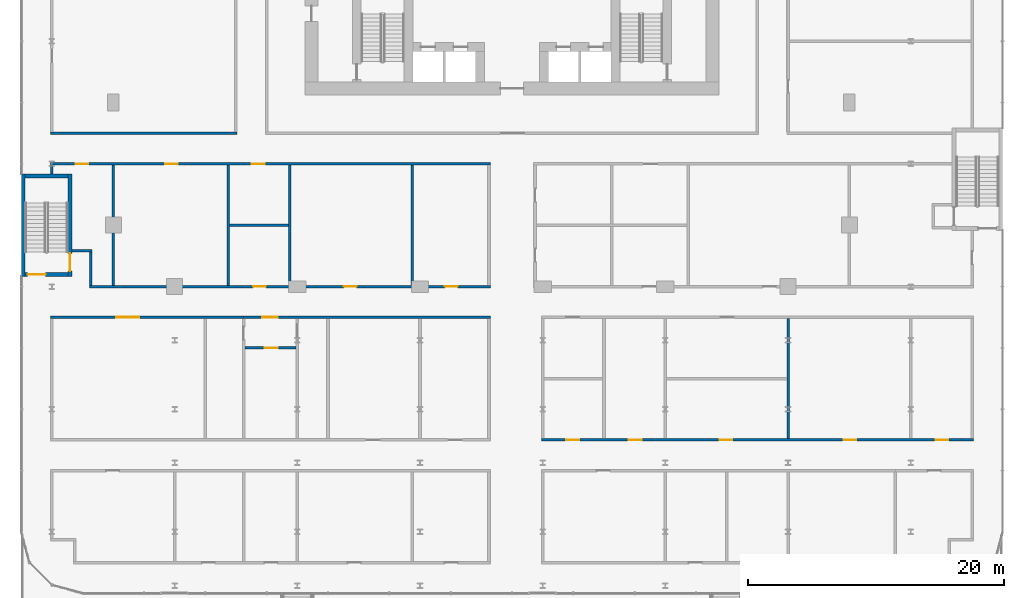
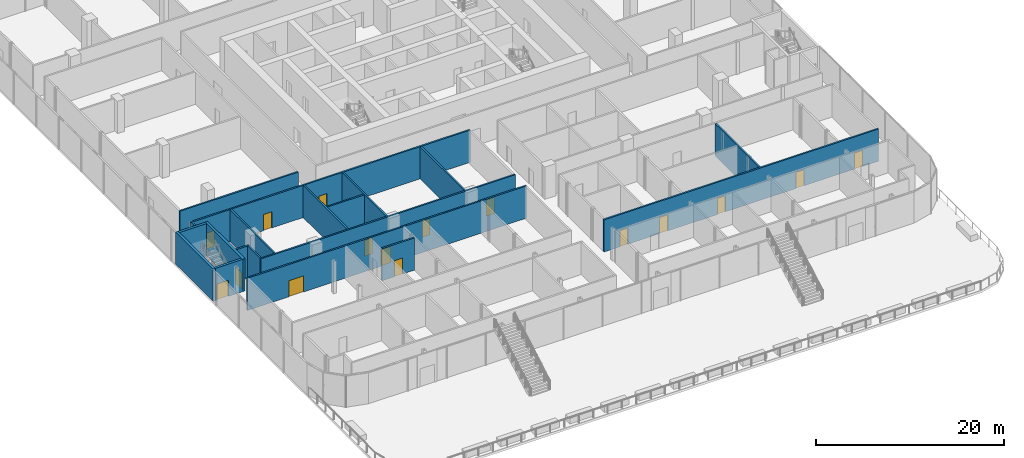
# One storey, part 30 of 43: 20 walls, 16 doors, 16 openings.
"""IFC4 building model written with IfcOpenShell, lengths in metres."""

from ifc_helpers import new_model, si_unit, direction, frame, frame_2d, origin, place, context, subcontext, project, spatial, rectangle, extrude, material, layer, layer_set, type_object, element, fill, save


model = new_model("IFC4")

# Units and contexts
model_context = context("Model", 3, precision=1e-05, world=origin(), true_north=direction((0.0, 1.0)))
body_context = subcontext(model_context, "Body", "Model", "MODEL_VIEW")
ifc_project = project(units=[si_unit("LENGTHUNIT", "METRE"), si_unit("AREAUNIT", "SQUARE_METRE"), si_unit("VOLUMEUNIT", "CUBIC_METRE"), si_unit("PLANEANGLEUNIT", "RADIAN"), si_unit("MASSUNIT", "GRAM", prefix="KILO")], contexts=[model_context])

# Site, building, storey
site_placement = place(None, origin())
site = spatial("IfcSite", under=ifc_project, at=site_placement, CompositionType="ELEMENT")
building_placement = place(site_placement, origin())
building = spatial("IfcBuilding", under=site, at=building_placement, Name="Madar Terraces", CompositionType="ELEMENT")
storey_placement = place(building_placement, frame((0.0, 0.0, 10.5)))
storey = spatial("IfcBuildingStorey", under=building, at=storey_placement, Name="L02", CompositionType="ELEMENT", Elevation=10.5)

# Wall, openings, doors
ifc_material_1 = material(Name="Gypsum board partition, fire-rated")
ifc_layer_1 = layer(ifc_material_1, 0.199951171875)
ifc_layer_set_1 = layer_set([ifc_layer_1], Name="Partition 200 EI 60")
wall_type_1 = type_object("IfcWallType", Name="Partition 200 EI 60", PredefinedType="PARTITIONING", material=ifc_layer_set_1)
wall_1_placement = place(storey_placement, frame((33.5, -12.0, 0.0), z_axis=(0.0, 0.0, 1.0), x_axis=(1.0, 0.0, 0.0)))
wall_1 = element("IfcWall", 1, at=wall_1_placement, inside=storey, type_object=wall_type_1, Name="Wall CONSULTING ROOM + DIRTY UTILITY", PredefinedType="PARTITIONING", context=body_context, shape_type="SweptSolid", body=[
    extrude(rectangle(XDim=33.800048828125, YDim=0.199951171875, at=frame_2d((16.89990234375, 0.0))), origin(), (0.0, 0.0, 1.0), 4.199951171875),
])
opening_1_placement = place(wall_1_placement, frame((1.949951171875, 0.0, 0.0)))
opening_1 = element("IfcOpeningElement", 2, at=opening_1_placement, cuts=wall_1, Name="Opening D31", PredefinedType="OPENING", context=body_context, shape_type="SweptSolid", body=[
    extrude(rectangle(XDim=1.0, YDim=2.10009765625, at=frame_2d((0.5, 1.050048828125))), frame((0.0, 0.10986328125, 0.0), z_axis=(0.0, -1.0, 0.0), x_axis=(1.0, 0.0, 0.0)), (0.0, 0.0, 1.0), 0.219970703125),
])
opening_2_placement = place(wall_1_placement, frame((6.85009765625, 0.0, 0.0)))
opening_2 = element("IfcOpeningElement", 3, at=opening_2_placement, cuts=wall_1, Name="Opening D31", PredefinedType="OPENING", context=body_context, shape_type="SweptSolid", body=[
    extrude(rectangle(XDim=1.0, YDim=2.10009765625, at=frame_2d((0.5, 1.050048828125))), frame((0.0, 0.10986328125, 0.0), z_axis=(0.0, -1.0, 0.0), x_axis=(1.0, 0.0, 0.0)), (0.0, 0.0, 1.0), 0.219970703125),
])
opening_3_placement = place(wall_1_placement, frame((13.949951171875, 0.0, 0.0)))
opening_3 = element("IfcOpeningElement", 4, at=opening_3_placement, cuts=wall_1, Name="Opening D31", PredefinedType="OPENING", context=body_context, shape_type="SweptSolid", body=[
    extrude(rectangle(XDim=1.0, YDim=2.10009765625, at=frame_2d((0.5, 1.050048828125))), frame((0.0, 0.10986328125, 0.0), z_axis=(0.0, -1.0, 0.0), x_axis=(1.0, 0.0, 0.0)), (0.0, 0.0, 1.0), 0.219970703125),
])
opening_4_placement = place(wall_1_placement, frame((23.64990234375, 0.0, 0.0)))
opening_4 = element("IfcOpeningElement", 5, at=opening_4_placement, cuts=wall_1, Name="Opening D31", PredefinedType="OPENING", context=body_context, shape_type="SweptSolid", body=[
    extrude(rectangle(XDim=1.0, YDim=2.10009765625, at=frame_2d((0.5, 1.050048828125))), frame((0.0, 0.10986328125, 0.0), z_axis=(0.0, -1.0, 0.0), x_axis=(1.0, 0.0, 0.0)), (0.0, 0.0, 1.0), 0.219970703125),
])
opening_5_placement = place(wall_1_placement, frame((30.85009765625, 0.0, 0.0)))
opening_5 = element("IfcOpeningElement", 6, at=opening_5_placement, cuts=wall_1, Name="Opening D31", PredefinedType="OPENING", context=body_context, shape_type="SweptSolid", body=[
    extrude(rectangle(XDim=1.0, YDim=2.10009765625, at=frame_2d((0.5, 1.050048828125))), frame((0.0, 0.10986328125, 0.0), z_axis=(0.0, -1.0, 0.0), x_axis=(1.0, 0.0, 0.0)), (0.0, 0.0, 1.0), 0.219970703125),
])
ifc_material_2 = material(Name="Timber door leaf, fire-rated", Category="wood")
door_type_1 = type_object("IfcDoorType", Name="Podium door 1000 x 2100 FD30S", OperationType="NOTDEFINED", PredefinedType="DOOR", material=ifc_material_2)
door_1_placement = place(opening_1_placement, origin())
door_1 = element("IfcDoor", 7, at=door_1_placement, inside=storey, type_object=door_type_1, Name="Door DIRTY UTILITY / PODIUM CORRIDOR", OperationType="SINGLE_SWING_RIGHT", OverallHeight=2.10009765625, OverallWidth=1.0, PredefinedType="DOOR", context=body_context, shape_type="SweptSolid", body=[
    extrude(rectangle(XDim=1.0, YDim=2.10009765625, at=frame_2d((0.5, 1.050048828125))), frame((0.0, 0.02490234375, 0.0), z_axis=(0.0, -1.0, 0.0), x_axis=(1.0, 0.0, 0.0)), (0.0, 0.0, 1.0), 0.050048828125),
])
fill(opening_1, door_1)
door_2_placement = place(opening_2_placement, origin())
door_2 = element("IfcDoor", 8, at=door_2_placement, inside=storey, type_object=door_type_1, Name="Door NURSES STATION / PODIUM CORRIDOR", OperationType="SINGLE_SWING_RIGHT", OverallHeight=2.10009765625, OverallWidth=1.0, PredefinedType="DOOR", context=body_context, shape_type="SweptSolid", body=[
    extrude(rectangle(XDim=1.0, YDim=2.10009765625, at=frame_2d((0.5, 1.050048828125))), frame((0.0, 0.02490234375, 0.0), z_axis=(0.0, -1.0, 0.0), x_axis=(1.0, 0.0, 0.0)), (0.0, 0.0, 1.0), 0.050048828125),
])
fill(opening_2, door_2)
door_3_placement = place(opening_3_placement, origin())
door_3 = element("IfcDoor", 9, at=door_3_placement, inside=storey, type_object=door_type_1, Name="Door CONSULTING ROOM / PODIUM CORRIDOR", OperationType="SINGLE_SWING_LEFT", OverallHeight=2.10009765625, OverallWidth=1.0, PredefinedType="DOOR", context=body_context, shape_type="SweptSolid", body=[
    extrude(rectangle(XDim=1.0, YDim=2.10009765625, at=frame_2d((0.5, 1.050048828125))), frame((0.0, 0.02490234375, 0.0), z_axis=(0.0, -1.0, 0.0), x_axis=(1.0, 0.0, 0.0)), (0.0, 0.0, 1.0), 0.050048828125),
])
fill(opening_3, door_3)
door_4_placement = place(opening_4_placement, origin())
door_4 = element("IfcDoor", 10, at=door_4_placement, inside=storey, type_object=door_type_1, Name="Door TREATMENT ROOM / PODIUM CORRIDOR", OperationType="SINGLE_SWING_RIGHT", OverallHeight=2.10009765625, OverallWidth=1.0, PredefinedType="DOOR", context=body_context, shape_type="SweptSolid", body=[
    extrude(rectangle(XDim=1.0, YDim=2.10009765625, at=frame_2d((0.5, 1.050048828125))), frame((0.0, 0.02490234375, 0.0), z_axis=(0.0, -1.0, 0.0), x_axis=(1.0, 0.0, 0.0)), (0.0, 0.0, 1.0), 0.050048828125),
])
fill(opening_4, door_4)
door_5_placement = place(opening_5_placement, origin())
door_5 = element("IfcDoor", 11, at=door_5_placement, inside=storey, type_object=door_type_1, Name="Door STAFF ROOM / PODIUM CORRIDOR", OperationType="SINGLE_SWING_LEFT", OverallHeight=2.10009765625, OverallWidth=1.0, PredefinedType="DOOR", context=body_context, shape_type="SweptSolid", body=[
    extrude(rectangle(XDim=1.0, YDim=2.10009765625, at=frame_2d((0.5, 1.050048828125))), frame((0.0, 0.02490234375, 0.0), z_axis=(0.0, -1.0, 0.0), x_axis=(1.0, 0.0, 0.0)), (0.0, 0.0, 1.0), 0.050048828125),
])
fill(opening_5, door_5)

# Wall, opening, door
wall_2_placement = place(storey_placement, frame((14.300048828125, -4.800048828125, 0.0), z_axis=(0.0, 0.0, 1.0), x_axis=(-1.0, 0.0, 0.0)))
wall_2 = element("IfcWall", 12, at=wall_2_placement, inside=storey, type_object=wall_type_1, Name="Wall WC LOBBY / ACCESSIBLE WC", PredefinedType="PARTITIONING", context=body_context, shape_type="SweptSolid", body=[
    extrude(rectangle(XDim=4.0, YDim=0.199951171875, at=frame_2d((2.0, 0.0))), origin(), (0.0, 0.0, 1.0), 4.199951171875),
])
opening_6_placement = place(wall_2_placement, frame((1.449951171875, 0.0, 0.0)))
opening_6 = element("IfcOpeningElement", 13, at=opening_6_placement, cuts=wall_2, Name="Opening D31", PredefinedType="OPENING", context=body_context, shape_type="SweptSolid", body=[
    extrude(rectangle(XDim=1.0, YDim=2.10009765625, at=frame_2d((0.5, 1.050048828125))), frame((0.0, 0.10986328125, 0.0), z_axis=(0.0, -1.0, 0.0), x_axis=(1.0, 0.0, 0.0)), (0.0, 0.0, 1.0), 0.219970703125),
])
door_6_placement = place(opening_6_placement, origin())
door_6 = element("IfcDoor", 14, at=door_6_placement, inside=storey, type_object=door_type_1, Name="Door WC LOBBY / ACCESSIBLE WC", OperationType="SINGLE_SWING_LEFT", OverallHeight=2.10009765625, OverallWidth=1.0, PredefinedType="DOOR", context=body_context, shape_type="SweptSolid", body=[
    extrude(rectangle(XDim=1.0, YDim=2.10009765625, at=frame_2d((0.5, 1.050048828125))), frame((0.0, 0.02490234375, 0.0), z_axis=(0.0, -1.0, 0.0), x_axis=(1.0, 0.0, 0.0)), (0.0, 0.0, 1.0), 0.050048828125),
])
fill(opening_6, door_6)

wall_3_placement = place(storey_placement, frame((10.199951171875, -2.39990234375, 0.0), z_axis=(0.0, 0.0, 1.0), x_axis=(-1.0, 0.0, 0.0)))
wall_3 = element("IfcWall", 15, at=wall_3_placement, inside=storey, type_object=wall_type_1, Name="Wall WAITING AREA + WC MEN", PredefinedType="PARTITIONING", context=body_context, shape_type="SweptSolid", body=[
    extrude(rectangle(XDim=15.099853515625, YDim=0.199951171875, at=frame_2d((7.5498046875, 0.0))), origin(), (0.0, 0.0, 1.0), 4.199951171875),
])
opening_7_placement = place(wall_3_placement, frame((8.14990234375, 0.0, 0.0)))
opening_7 = element("IfcOpeningElement", 16, at=opening_7_placement, cuts=wall_3, Name="Opening D30", PredefinedType="OPENING", context=body_context, shape_type="SweptSolid", body=[
    extrude(rectangle(XDim=1.800048828125, YDim=2.10009765625, at=frame_2d((0.89990234375, 1.050048828125))), frame((0.0, 0.10986328125, 0.0), z_axis=(0.0, -1.0, 0.0), x_axis=(1.0, 0.0, 0.0)), (0.0, 0.0, 1.0), 0.219970703125),
])
ifc_material_3 = material(Name="Timber door leaf, fire-rated", Category="wood")
door_type_2 = type_object("IfcDoorType", Name="Podium double door 1800 x 2100 FD30S", OperationType="DOUBLE_DOOR_SINGLE_SWING", PredefinedType="DOOR", material=ifc_material_3)
door_7_placement = place(opening_7_placement, origin())
door_7 = element("IfcDoor", 17, at=door_7_placement, inside=storey, type_object=door_type_2, Name="Door WAITING AREA / PODIUM CORRIDOR", OperationType="DOUBLE_DOOR_SINGLE_SWING", OverallHeight=2.10009765625, OverallWidth=1.800048828125, PredefinedType="DOOR", context=body_context, shape_type="SweptSolid", body=[
    extrude(rectangle(XDim=1.800048828125, YDim=2.10009765625, at=frame_2d((0.89990234375, 1.050048828125))), frame((0.0, 0.02490234375, 0.0), z_axis=(0.0, -1.0, 0.0), x_axis=(1.0, 0.0, 0.0)), (0.0, 0.0, 1.0), 0.050048828125),
])
fill(opening_7, door_7)

wall_4_placement = place(storey_placement, frame((10.199951171875, -2.39990234375, 0.0), z_axis=(0.0, 0.0, 1.0), x_axis=(1.0, 0.0, 0.0)))
wall_4 = element("IfcWall", 18, at=wall_4_placement, inside=storey, type_object=wall_type_1, Name="Wall TREATMENT ROOM + WC LOBBY", PredefinedType="PARTITIONING", context=body_context, shape_type="SweptSolid", body=[
    extrude(rectangle(XDim=19.300048828125, YDim=0.199951171875, at=frame_2d((9.64990234375, 0.0))), origin(), (0.0, 0.0, 1.0), 4.199951171875),
])
opening_8_placement = place(wall_4_placement, frame((1.449951171875, 0.0, 0.0)))
opening_8 = element("IfcOpeningElement", 19, at=opening_8_placement, cuts=wall_4, Name="Opening D32", PredefinedType="OPENING", context=body_context, shape_type="SweptSolid", body=[
    extrude(rectangle(XDim=1.199951171875, YDim=2.10009765625, at=frame_2d((0.60009765625, 1.050048828125))), frame((0.0, 0.10986328125, 0.0), z_axis=(0.0, -1.0, 0.0), x_axis=(1.0, 0.0, 0.0)), (0.0, 0.0, 1.0), 0.219970703125),
])
ifc_material_4 = material(Name="Timber door leaf, fire-rated", Category="wood")
door_type_3 = type_object("IfcDoorType", Name="Podium door 1200 x 2100 FD30S", OperationType="NOTDEFINED", PredefinedType="DOOR", material=ifc_material_4)
door_8_placement = place(opening_8_placement, origin())
door_8 = element("IfcDoor", 20, at=door_8_placement, inside=storey, type_object=door_type_3, Name="Door WC LOBBY / PODIUM CORRIDOR", OperationType="SINGLE_SWING_LEFT", OverallHeight=2.10009765625, OverallWidth=1.199951171875, PredefinedType="DOOR", context=body_context, shape_type="SweptSolid", body=[
    extrude(rectangle(XDim=1.199951171875, YDim=2.10009765625, at=frame_2d((0.60009765625, 1.050048828125))), frame((0.0, 0.02490234375, 0.0), z_axis=(0.0, -1.0, 0.0), x_axis=(1.0, 0.0, 0.0)), (0.0, 0.0, 1.0), 0.050048828125),
])
fill(opening_8, door_8)

# Wall, openings, doors
wall_5_placement = place(storey_placement, frame((-1.85009765625, 0.0, 0.0), z_axis=(0.0, 0.0, 1.0), x_axis=(1.0, 0.0, 0.0)))
wall_5 = element("IfcWall", 21, at=wall_5_placement, inside=storey, type_object=wall_type_1, Name="Wall NURSES STATION + RECEPTION", PredefinedType="PARTITIONING", context=body_context, shape_type="SweptSolid", body=[
    extrude(rectangle(XDim=31.35009765625, YDim=0.199951171875, at=frame_2d((15.675048828125, 0.0))), origin(), (0.0, 0.0, 1.0), 4.199951171875),
])
opening_9_placement = place(wall_5_placement, frame((12.800048828125, 0.0, 0.0)))
opening_9 = element("IfcOpeningElement", 22, at=opening_9_placement, cuts=wall_5, Name="Opening D31", PredefinedType="OPENING", context=body_context, shape_type="SweptSolid", body=[
    extrude(rectangle(XDim=1.0, YDim=2.10009765625, at=frame_2d((0.5, 1.050048828125))), frame((0.0, 0.10986328125, 0.0), z_axis=(0.0, -1.0, 0.0), x_axis=(1.0, 0.0, 0.0)), (0.0, 0.0, 1.0), 0.219970703125),
])
opening_10_placement = place(wall_5_placement, frame((19.89990234375, 0.0, 0.0)))
opening_10 = element("IfcOpeningElement", 23, at=opening_10_placement, cuts=wall_5, Name="Opening D31", PredefinedType="OPENING", context=body_context, shape_type="SweptSolid", body=[
    extrude(rectangle(XDim=1.0, YDim=2.10009765625, at=frame_2d((0.5, 1.050048828125))), frame((0.0, 0.10986328125, 0.0), z_axis=(0.0, -1.0, 0.0), x_axis=(1.0, 0.0, 0.0)), (0.0, 0.0, 1.0), 0.219970703125),
])
opening_11_placement = place(wall_5_placement, frame((27.800048828125, 0.0, 0.0)))
opening_11 = element("IfcOpeningElement", 24, at=opening_11_placement, cuts=wall_5, Name="Opening D31", PredefinedType="OPENING", context=body_context, shape_type="SweptSolid", body=[
    extrude(rectangle(XDim=1.0, YDim=2.10009765625, at=frame_2d((0.5, 1.050048828125))), frame((0.0, 0.10986328125, 0.0), z_axis=(0.0, -1.0, 0.0), x_axis=(1.0, 0.0, 0.0)), (0.0, 0.0, 1.0), 0.219970703125),
])
door_9_placement = place(opening_9_placement, origin())
door_9 = element("IfcDoor", 25, at=door_9_placement, inside=storey, type_object=door_type_1, Name="Door SCAN ROOM / PODIUM CORRIDOR", OperationType="SINGLE_SWING_RIGHT", OverallHeight=2.10009765625, OverallWidth=1.0, PredefinedType="DOOR", context=body_context, shape_type="SweptSolid", body=[
    extrude(rectangle(XDim=1.0, YDim=2.10009765625, at=frame_2d((0.5, 1.050048828125))), frame((0.0, 0.02490234375, 0.0), z_axis=(0.0, -1.0, 0.0), x_axis=(1.0, 0.0, 0.0)), (0.0, 0.0, 1.0), 0.050048828125),
])
fill(opening_9, door_9)
door_10_placement = place(opening_10_placement, origin())
door_10 = element("IfcDoor", 26, at=door_10_placement, inside=storey, type_object=door_type_1, Name="Door SCAN ROOM / PODIUM CORRIDOR", OperationType="SINGLE_SWING_LEFT", OverallHeight=2.10009765625, OverallWidth=1.0, PredefinedType="DOOR", context=body_context, shape_type="SweptSolid", body=[
    extrude(rectangle(XDim=1.0, YDim=2.10009765625, at=frame_2d((0.5, 1.050048828125))), frame((0.0, 0.02490234375, 0.0), z_axis=(0.0, -1.0, 0.0), x_axis=(1.0, 0.0, 0.0)), (0.0, 0.0, 1.0), 0.050048828125),
])
fill(opening_10, door_10)
door_11_placement = place(opening_11_placement, origin())
door_11 = element("IfcDoor", 27, at=door_11_placement, inside=storey, type_object=door_type_1, Name="Door NURSES STATION / PODIUM CORRIDOR", OperationType="SINGLE_SWING_RIGHT", OverallHeight=2.10009765625, OverallWidth=1.0, PredefinedType="DOOR", context=body_context, shape_type="SweptSolid", body=[
    extrude(rectangle(XDim=1.0, YDim=2.10009765625, at=frame_2d((0.5, 1.050048828125))), frame((0.0, 0.02490234375, 0.0), z_axis=(0.0, -1.0, 0.0), x_axis=(1.0, 0.0, 0.0)), (0.0, 0.0, 1.0), 0.050048828125),
])
fill(opening_11, door_11)

# Walls
wall_6_placement = place(storey_placement, frame((-3.25, 2.800048828125, 0.0), z_axis=(0.0, 0.0, 1.0), x_axis=(1.0, 0.0, 0.0)))
element("IfcWall", 28, at=wall_6_placement, inside=storey, type_object=wall_type_1, Name="Wall WAITING AREA / PODIUM CORRIDOR", PredefinedType="PARTITIONING", context=body_context, shape_type="SweptSolid", body=[
    extrude(rectangle(XDim=1.60009765625, YDim=0.199951171875, at=frame_2d((0.800048828125, 0.0))), origin(), (0.0, 0.0, 1.0), 4.199951171875),
])
wall_7_placement = place(storey_placement, frame((9.10009765625, 4.800048828125, 0.0), z_axis=(0.0, 0.0, 1.0), x_axis=(1.0, 0.0, 0.0)))
element("IfcWall", 29, at=wall_7_placement, inside=storey, type_object=wall_type_1, Name="Wall SCAN ROOM / SCAN ROOM", PredefinedType="PARTITIONING", context=body_context, shape_type="SweptSolid", body=[
    extrude(rectangle(XDim=4.599853515625, YDim=0.199951171875, at=frame_2d((2.2998046875, 0.0))), origin(), (0.0, 0.0, 1.0), 4.199951171875),
])

# Wall, openings, doors
wall_8_placement = place(storey_placement, frame((29.5, 9.60009765625, 0.0), z_axis=(0.0, 0.0, 1.0), x_axis=(-1.0, 0.0, 0.0)))
wall_8 = element("IfcWall", 30, at=wall_8_placement, inside=storey, type_object=wall_type_1, Name="Wall NURSES STATION + RECEPTION", PredefinedType="PARTITIONING", context=body_context, shape_type="SweptSolid", body=[
    extrude(rectangle(XDim=34.39990234375, YDim=0.199951171875, at=frame_2d((17.199951171875, 0.0))), origin(), (0.0, 0.0, 1.0), 4.199951171875),
])
opening_12_placement = place(wall_8_placement, frame((31.449951171875, 0.0, 0.0)))
opening_12 = element("IfcOpeningElement", 31, at=opening_12_placement, cuts=wall_8, Name="Opening D31", PredefinedType="OPENING", context=body_context, shape_type="SweptSolid", body=[
    extrude(rectangle(XDim=1.0, YDim=2.10009765625, at=frame_2d((0.5, 1.050048828125))), frame((0.0, 0.10986328125, 0.0), z_axis=(0.0, -1.0, 0.0), x_axis=(1.0, 0.0, 0.0)), (0.0, 0.0, 1.0), 0.219970703125),
])
opening_13_placement = place(wall_8_placement, frame((24.449951171875, 0.0, 0.0)))
opening_13 = element("IfcOpeningElement", 32, at=opening_13_placement, cuts=wall_8, Name="Opening D31", PredefinedType="OPENING", context=body_context, shape_type="SweptSolid", body=[
    extrude(rectangle(XDim=1.0, YDim=2.10009765625, at=frame_2d((0.5, 1.050048828125))), frame((0.0, 0.10986328125, 0.0), z_axis=(0.0, -1.0, 0.0), x_axis=(1.0, 0.0, 0.0)), (0.0, 0.0, 1.0), 0.219970703125),
])
opening_14_placement = place(wall_8_placement, frame((17.64990234375, 0.0, 0.0)))
opening_14 = element("IfcOpeningElement", 33, at=opening_14_placement, cuts=wall_8, Name="Opening D31", PredefinedType="OPENING", context=body_context, shape_type="SweptSolid", body=[
    extrude(rectangle(XDim=1.0, YDim=2.10009765625, at=frame_2d((0.5, 1.050048828125))), frame((0.0, 0.10986328125, 0.0), z_axis=(0.0, -1.0, 0.0), x_axis=(1.0, 0.0, 0.0)), (0.0, 0.0, 1.0), 0.219970703125),
])
door_12_placement = place(opening_12_placement, origin())
door_12 = element("IfcDoor", 34, at=door_12_placement, inside=storey, type_object=door_type_1, Name="Door WAITING AREA / PODIUM CORRIDOR", OperationType="SINGLE_SWING_RIGHT", OverallHeight=2.10009765625, OverallWidth=1.0, PredefinedType="DOOR", context=body_context, shape_type="SweptSolid", body=[
    extrude(rectangle(XDim=1.0, YDim=2.10009765625, at=frame_2d((0.5, 1.050048828125))), frame((0.0, 0.02490234375, 0.0), z_axis=(0.0, -1.0, 0.0), x_axis=(1.0, 0.0, 0.0)), (0.0, 0.0, 1.0), 0.050048828125),
])
fill(opening_12, door_12)
door_13_placement = place(opening_13_placement, origin())
door_13 = element("IfcDoor", 35, at=door_13_placement, inside=storey, type_object=door_type_1, Name="Door RECEPTION / PODIUM CORRIDOR", OperationType="SINGLE_SWING_LEFT", OverallHeight=2.10009765625, OverallWidth=1.0, PredefinedType="DOOR", context=body_context, shape_type="SweptSolid", body=[
    extrude(rectangle(XDim=1.0, YDim=2.10009765625, at=frame_2d((0.5, 1.050048828125))), frame((0.0, 0.02490234375, 0.0), z_axis=(0.0, -1.0, 0.0), x_axis=(1.0, 0.0, 0.0)), (0.0, 0.0, 1.0), 0.050048828125),
])
fill(opening_13, door_13)
door_14_placement = place(opening_14_placement, origin())
door_14 = element("IfcDoor", 36, at=door_14_placement, inside=storey, type_object=door_type_1, Name="Door SCAN ROOM / PODIUM CORRIDOR", OperationType="SINGLE_SWING_RIGHT", OverallHeight=2.10009765625, OverallWidth=1.0, PredefinedType="DOOR", context=body_context, shape_type="SweptSolid", body=[
    extrude(rectangle(XDim=1.0, YDim=2.10009765625, at=frame_2d((0.5, 1.050048828125))), frame((0.0, 0.02490234375, 0.0), z_axis=(0.0, -1.0, 0.0), x_axis=(1.0, 0.0, 0.0)), (0.0, 0.0, 1.0), 0.050048828125),
])
fill(opening_14, door_14)

# Walls
wall_9_placement = place(storey_placement, frame((-4.89990234375, 12.0, 0.0), z_axis=(0.0, 0.0, 1.0), x_axis=(1.0, 0.0, 0.0)))
element("IfcWall", 37, at=wall_9_placement, inside=storey, type_object=wall_type_1, Name="Wall STAFF ROOM / PODIUM CORRIDOR", PredefinedType="PARTITIONING", context=body_context, shape_type="SweptSolid", body=[
    extrude(rectangle(XDim=14.599853515625, YDim=0.199951171875, at=frame_2d((7.2998046875, 0.0))), origin(), (0.0, 0.0, 1.0), 4.199951171875),
])
wall_10_placement = place(storey_placement, frame((-4.800048828125, 8.800048828125, 0.0), z_axis=(0.0, 0.0, 1.0), x_axis=(0.0, 1.0, 0.0)))
element("IfcWall", 38, at=wall_10_placement, inside=storey, type_object=wall_type_1, Name="Wall WAITING AREA / PODIUM CORRIDOR", PredefinedType="PARTITIONING", context=body_context, shape_type="SweptSolid", body=[
    extrude(rectangle(XDim=0.699951171875, YDim=0.199951171875, at=frame_2d((0.35009765625, 0.0))), origin(), (0.0, 0.0, 1.0), 4.199951171875),
])
wall_11_placement = place(storey_placement, frame((-1.75, 0.10009765625, 0.0), z_axis=(0.0, 0.0, 1.0), x_axis=(0.0, 1.0, 0.0)))
element("IfcWall", 39, at=wall_11_placement, inside=storey, type_object=wall_type_1, Name="Wall WAITING AREA / PODIUM CORRIDOR", PredefinedType="PARTITIONING", context=body_context, shape_type="SweptSolid", body=[
    extrude(rectangle(XDim=2.599853515625, YDim=0.199951171875, at=frame_2d((1.2998046875, 0.0))), origin(), (0.0, 0.0, 1.0), 4.199951171875),
])
for number, where, z_axis, x_axis, name in (
    (40, (0.0, 0.10009765625, 0.0), (0.0, 0.0, 1.0), (0.0, 1.0, 0.0), "Wall WAITING AREA / RECEPTION"),
    (41, (9.0, 0.10009765625, 0.0), (0.0, 0.0, 1.0), (0.0, 1.0, 0.0), "Wall RECEPTION"),
    (42, (13.800048828125, 0.10009765625, 0.0), (0.0, 0.0, 1.0), (0.0, 1.0, 0.0), "Wall SCAN ROOM"),
    (43, (23.39990234375, 0.10009765625, 0.0), (0.0, 0.0, 1.0), (0.0, 1.0, 0.0), "Wall SCAN ROOM / NURSES STATION"),
    (44, (52.800048828125, -11.89990234375, 0.0), (0.0, 0.0, 1.0), (0.0, 1.0, 0.0), "Wall CONSULTING ROOM"),
):
    element("IfcWall", number, at=place(storey_placement, frame(where, z_axis=z_axis, x_axis=x_axis)), inside=storey, type_object=wall_type_1, Name=name, PredefinedType="PARTITIONING", context=body_context, shape_type="SweptSolid", body=[
        extrude(rectangle(XDim=9.39990234375, YDim=0.199951171875, at=frame_2d((4.699951171875, 0.0))), origin(), (0.0, 0.0, 1.0), 4.199951171875),
    ])

# Wall, opening, door
ifc_material_5 = material(Name="Concrete C40/50", Category="concrete")
ifc_layer_2 = layer(ifc_material_5, 0.300048828125)
ifc_layer_set_2 = layer_set([ifc_layer_2], Name="Podium stair wall 300 C40/50")
wall_type_2 = type_object("IfcWallType", Name="Podium stair wall 300 C40/50", PredefinedType="SOLIDWALL", material=ifc_layer_set_2)
wall_12_placement = place(storey_placement, frame((-3.39990234375, 0.800048828125, 0.0), z_axis=(0.0, 0.0, 1.0), x_axis=(0.0, 1.0, 0.0)))
wall_12 = element("IfcWall", 45, at=wall_12_placement, inside=storey, type_object=wall_type_2, Name="PODIUM STAIR WALL", PredefinedType="SOLIDWALL", context=body_context, shape_type="SweptSolid", body=[
    extrude(rectangle(XDim=8.0, YDim=0.300048828125, at=frame_2d((4.0, 0.0))), origin(), (0.0, 0.0, 1.0), 4.199951171875),
])
opening_15_placement = place(wall_12_placement, frame((0.39990234375, 0.0, 0.0)))
opening_15 = element("IfcOpeningElement", 46, at=opening_15_placement, cuts=wall_12, Name="Opening PSD1", PredefinedType="OPENING", context=body_context, shape_type="SweptSolid", body=[
    extrude(rectangle(XDim=1.39990234375, YDim=2.10009765625, at=frame_2d((0.699951171875, 1.050048828125))), frame((0.0, 0.159912109375, 0.0), z_axis=(0.0, -1.0, 0.0), x_axis=(1.0, 0.0, 0.0)), (0.0, 0.0, 1.0), 0.320068359375),
])
ifc_material_6 = material(Name="Steel door leaf", Category="steel")
door_type_4 = type_object("IfcDoorType", Name="Podium stair door pair 1400 x 2100", OperationType="DOUBLE_DOOR_SINGLE_SWING", PredefinedType="DOOR", material=ifc_material_6)
door_15_placement = place(opening_15_placement, origin())
door_15 = element("IfcDoor", 47, at=door_15_placement, inside=storey, type_object=door_type_4, Name="STAIR DOOR", OperationType="DOUBLE_DOOR_SINGLE_SWING", OverallHeight=2.10009765625, OverallWidth=1.39990234375, PredefinedType="DOOR", context=body_context, shape_type="SweptSolid", body=[
    extrude(rectangle(XDim=1.39990234375, YDim=2.10009765625, at=frame_2d((0.699951171875, 1.050048828125))), frame((0.0, 0.02490234375, 0.0), z_axis=(0.0, -1.0, 0.0), x_axis=(1.0, 0.0, 0.0)), (0.0, 0.0, 1.0), 0.050048828125),
])
fill(opening_15, door_15)

wall_13_placement = place(storey_placement, frame((-6.89990234375, 0.949951171875, 0.0), z_axis=(0.0, 0.0, 1.0), x_axis=(1.0, 0.0, 0.0)))
wall_13 = element("IfcWall", 48, at=wall_13_placement, inside=storey, type_object=wall_type_2, Name="PODIUM STAIR WALL", PredefinedType="SOLIDWALL", context=body_context, shape_type="SweptSolid", body=[
    extrude(rectangle(XDim=3.349853515625, YDim=0.300048828125, at=frame_2d((1.6748046875, 0.0))), origin(), (0.0, 0.0, 1.0), 4.199951171875),
])
opening_16_placement = place(wall_13_placement, frame((0.199951171875, 0.0, 0.0)))
opening_16 = element("IfcOpeningElement", 49, at=opening_16_placement, cuts=wall_13, Name="Opening PSD1", PredefinedType="OPENING", context=body_context, shape_type="SweptSolid", body=[
    extrude(rectangle(XDim=1.39990234375, YDim=2.10009765625, at=frame_2d((0.699951171875, 1.050048828125))), frame((0.0, 0.159912109375, 0.0), z_axis=(0.0, -1.0, 0.0), x_axis=(1.0, 0.0, 0.0)), (0.0, 0.0, 1.0), 0.320068359375),
])
door_16_placement = place(opening_16_placement, origin())
door_16 = element("IfcDoor", 50, at=door_16_placement, inside=storey, type_object=door_type_4, Name="STAIR DOOR", OperationType="DOUBLE_DOOR_SINGLE_SWING", OverallHeight=2.10009765625, OverallWidth=1.39990234375, PredefinedType="DOOR", context=body_context, shape_type="SweptSolid", body=[
    extrude(rectangle(XDim=1.39990234375, YDim=2.10009765625, at=frame_2d((0.699951171875, 1.050048828125))), frame((0.0, 0.02490234375, 0.0), z_axis=(0.0, -1.0, 0.0), x_axis=(1.0, 0.0, 0.0)), (0.0, 0.0, 1.0), 0.050048828125),
])
fill(opening_16, door_16)

# Walls
wall_14_placement = place(storey_placement, frame((-6.89990234375, 8.64990234375, 0.0), z_axis=(0.0, 0.0, 1.0), x_axis=(1.0, 0.0, 0.0)))
element("IfcWall", 51, at=wall_14_placement, inside=storey, type_object=wall_type_2, Name="PODIUM STAIR WALL", PredefinedType="SOLIDWALL", context=body_context, shape_type="SweptSolid", body=[
    extrude(rectangle(XDim=3.349853515625, YDim=0.300048828125, at=frame_2d((1.6748046875, 0.0))), origin(), (0.0, 0.0, 1.0), 4.199951171875),
])
ifc_material_7 = material(Name="Concrete C40/50", Category="concrete")
ifc_layer_3 = layer(ifc_material_7, 0.300048828125)
ifc_layer_set_3 = layer_set([ifc_layer_3], Name="Podium stair wall 300 C40/50, external")
wall_type_3 = type_object("IfcWallType", Name="Podium stair wall 300 C40/50, external", PredefinedType="SOLIDWALL", material=ifc_layer_set_3)
wall_15_placement = place(storey_placement, frame((-7.050048828125, 0.800048828125, 0.0), z_axis=(0.0, 0.0, 1.0), x_axis=(0.0, 1.0, 0.0)))
element("IfcWall", 52, at=wall_15_placement, inside=storey, type_object=wall_type_3, Name="PODIUM STAIR WALL", PredefinedType="SOLIDWALL", context=body_context, shape_type="SweptSolid", body=[
    extrude(rectangle(XDim=8.0, YDim=0.300048828125, at=frame_2d((4.0, 0.0))), origin(), (0.0, 0.0, 1.0), 4.199951171875),
])

save(model, "model.ifc")
